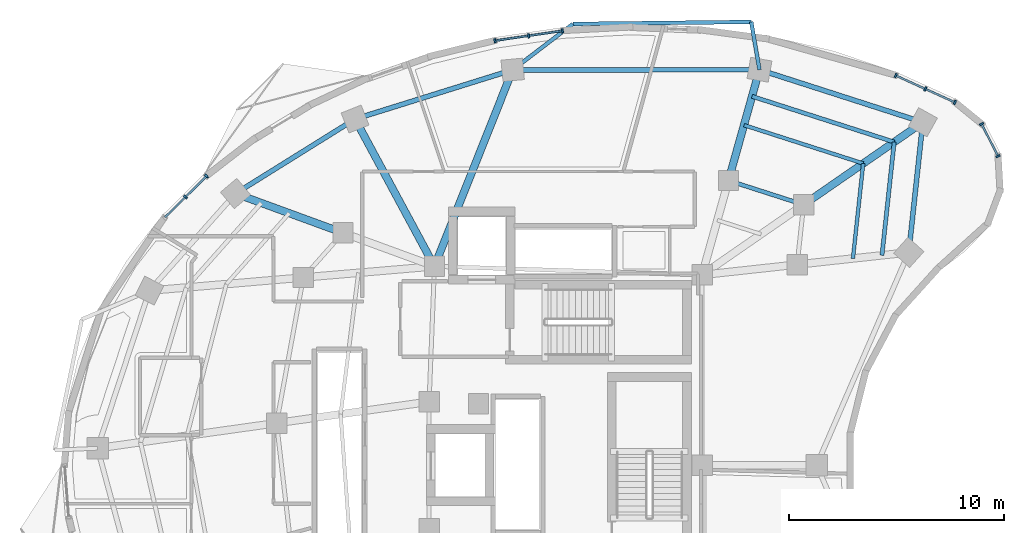
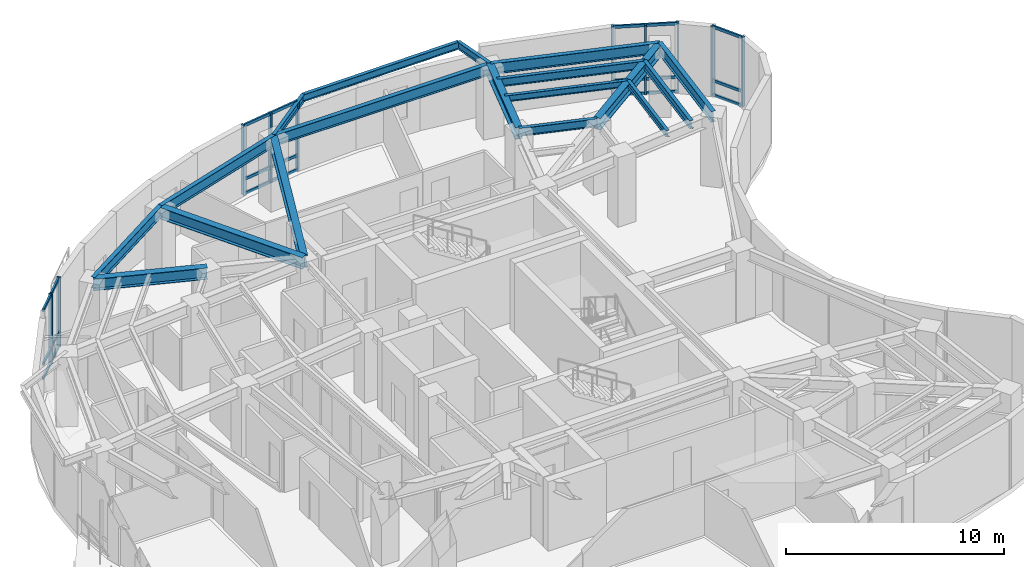
# One storey, part 5 of 13: 31 members, 18 beams, 4 elements without a shape of their own.
"""IFC4 building model written with IfcOpenShell, lengths in metres."""

from ifc_helpers import new_model, si_unit, direction, frame, origin, origin_2d, place, context, subcontext, project, spatial, rectangle, i_section, extrude, material, layer, layer_set, material_profile, profile_set, type_object, element, aggregate, save


model = new_model("IFC4")

# Units and contexts
model_context = context("Model", 3, precision=1e-05, world=origin(), true_north=direction((0.0, 1.0)))
body_context = subcontext(model_context, "Body", "Model", "MODEL_VIEW")
ifc_project = project(units=[si_unit("LENGTHUNIT", "METRE"), si_unit("AREAUNIT", "SQUARE_METRE"), si_unit("VOLUMEUNIT", "CUBIC_METRE"), si_unit("PLANEANGLEUNIT", "RADIAN"), si_unit("MASSUNIT", "GRAM", prefix="KILO")], contexts=[model_context])

# Site, building, storey
site_placement = place(None, origin())
site = spatial("IfcSite", under=ifc_project, at=site_placement, CompositionType="ELEMENT")
building_placement = place(site_placement, origin())
building = spatial("IfcBuilding", under=site, at=building_placement, Name="Korentha Bioscience Tower", CompositionType="ELEMENT")
storey_placement = place(building_placement, frame((0.0, 0.0, 158.39990234375)))
storey = spatial("IfcBuildingStorey", under=building, at=storey_placement, Name="L36", CompositionType="ELEMENT", Elevation=158.39990234375)

# Beam
ifc_material_1 = material(Name="Steel S355", Category="steel")
ifc_material_profile_1 = material_profile(ifc_material_1, i_section(OverallWidth=0.18994140625, OverallDepth=0.45703125, WebThickness=0.009033203125, FlangeThickness=0.014404296875, at=origin_2d()), Name="Steel S355")
ifc_profile_set_1 = profile_set([ifc_material_profile_1], Name="Steel S355 (MB-460)")
beam_type_1 = type_object("IfcBeamType", Name="Mid-Ring Tie Girder W460x74", PredefinedType="BEAM", material=ifc_profile_set_1)
beam_1_placement = place(storey_placement, frame((42.274658203125, 39.1171875, 3.671630859375), z_axis=(-0.952000195343, 0.306097415976, 0.0), x_axis=(-0.306097415976, -0.952000195343, 0.0)))
element("IfcBeam", 1, at=beam_1_placement, inside=storey, type_object=beam_type_1, Name="L36 Mid-Ring Tie Girder 01", PredefinedType="BEAM", context=body_context, shape_type="SweptSolid", body=[
    extrude(i_section(OverallWidth=0.18994140625, OverallDepth=0.45703125, WebThickness=0.009033203125, FlangeThickness=0.014404296875, at=origin_2d()), origin(), (0.0, 0.0, 1.0), 3.672119140625),
])

# Curtain wall, members
ifc_material_2 = material(Name="Thermally Broken Aluminium Frame", Category="aluminium")
ifc_layer = layer(ifc_material_2, 0.219970703125, Name="Thermally Broken Aluminium Frame")
ifc_layer_set = layer_set([ifc_layer], Name="Thermally Broken Aluminium Frame (CW-T1)")
curtain_wall_type = type_object("IfcCurtainWallType", Name="Standard Bioscience Lab Unitised Curtain Wall CW-T1", PredefinedType="USERDEFINED", material=ifc_layer_set)
curtain_wall_1_placement = place(storey_placement, origin())
curtain_wall_1 = element("IfcCurtainWall", 2, at=curtain_wall_1_placement, inside=storey, type_object=curtain_wall_type, Name="L36 Curtain Wall 01", ObjectType="UNITISED", PredefinedType="USERDEFINED")
ifc_material_3 = material(Name="Anodised Aluminium 6063-T6", Category="aluminium")
ifc_material_profile_2 = material_profile(ifc_material_3, rectangle(XDim=0.090087890625, YDim=0.199951171875, at=origin_2d()), Name="Anodised Aluminium 6063-T6")
ifc_profile_set_2 = profile_set([ifc_material_profile_2], Name="Anodised Aluminium 6063-T6 (CW-MUL)")
member_type_1 = type_object("IfcMemberType", Name="Mullion RECT 90x200", PredefinedType="MULLION", material=ifc_profile_set_2)
member_1_placement = place(storey_placement, frame((49.314453125, 43.878173828125, 0.0), z_axis=(0.0, 0.0, 1.0), x_axis=(-0.910644398392, 0.413190972406, 0.0)))
member_1 = element("IfcMember", 3, at=member_1_placement, type_object=member_type_1, Name="CW-L36-01 Mullion 1", PredefinedType="MULLION", context=body_context, shape_type="SweptSolid", body=[
    extrude(rectangle(XDim=0.090087890625, YDim=0.199951171875, at=origin_2d()), origin(), (0.0, 0.0, 1.0), 3.900146484375),
])
member_2_placement = place(storey_placement, frame((47.93701171875, 44.503173828125, 0.0), z_axis=(0.0, 0.0, 1.0), x_axis=(-0.910644398392, 0.413190972406, 0.0)))
member_2 = element("IfcMember", 4, at=member_2_placement, type_object=member_type_1, Name="CW-L36-01 Mullion 2", PredefinedType="MULLION", context=body_context, shape_type="SweptSolid", body=[
    extrude(rectangle(XDim=0.090087890625, YDim=0.199951171875, at=origin_2d()), origin(), (0.0, 0.0, 1.0), 3.900146484375),
])
member_3_placement = place(storey_placement, frame((46.5595703125, 45.128173828125, 0.0), z_axis=(0.0, 0.0, 1.0), x_axis=(-0.910644398392, 0.413190972406, 0.0)))
member_3 = element("IfcMember", 5, at=member_3_placement, type_object=member_type_1, Name="CW-L36-01 Mullion 3", PredefinedType="MULLION", context=body_context, shape_type="SweptSolid", body=[
    extrude(rectangle(XDim=0.090087890625, YDim=0.199951171875, at=origin_2d()), origin(), (0.0, 0.0, 1.0), 3.900146484375),
])

curtain_wall_2_placement = place(storey_placement, origin())
curtain_wall_2 = element("IfcCurtainWall", 6, at=curtain_wall_2_placement, inside=storey, type_object=curtain_wall_type, Name="L36 Curtain Wall 07", ObjectType="UNITISED", PredefinedType="USERDEFINED")
member_4_placement = place(storey_placement, frame((31.056640625, 47.205078125, 0.0), z_axis=(0.0, 0.0, 1.0), x_axis=(-0.989461919888, -0.144793332342, 0.0)))
member_4 = element("IfcMember", 7, at=member_4_placement, type_object=member_type_1, Name="CW-L36-07 Mullion 1", PredefinedType="MULLION", context=body_context, shape_type="SweptSolid", body=[
    extrude(rectangle(XDim=0.090087890625, YDim=0.199951171875, at=origin_2d()), origin(), (0.0, 0.0, 1.0), 3.900146484375),
])
member_5_placement = place(storey_placement, frame((29.485107421875, 46.97509765625, 0.0), z_axis=(0.0, 0.0, 1.0), x_axis=(-0.989461919888, -0.144793332342, 0.0)))
member_5 = element("IfcMember", 8, at=member_5_placement, type_object=member_type_1, Name="CW-L36-07 Mullion 2", PredefinedType="MULLION", context=body_context, shape_type="SweptSolid", body=[
    extrude(rectangle(XDim=0.090087890625, YDim=0.199951171875, at=origin_2d()), origin(), (0.0, 0.0, 1.0), 3.900146484375),
])
member_6_placement = place(storey_placement, frame((27.913330078125, 46.7451171875, 0.0), z_axis=(0.0, 0.0, 1.0), x_axis=(-0.989461919888, -0.144793332342, 0.0)))
member_6 = element("IfcMember", 9, at=member_6_placement, type_object=member_type_1, Name="CW-L36-07 Mullion 3", PredefinedType="MULLION", context=body_context, shape_type="SweptSolid", body=[
    extrude(rectangle(XDim=0.090087890625, YDim=0.199951171875, at=origin_2d()), origin(), (0.0, 0.0, 1.0), 3.900146484375),
])

curtain_wall_3_placement = place(storey_placement, origin())
curtain_wall_3 = element("IfcCurtainWall", 10, at=curtain_wall_3_placement, inside=storey, type_object=curtain_wall_type, Name="L36 Curtain Wall 13", ObjectType="UNITISED", PredefinedType="USERDEFINED")
member_7_placement = place(storey_placement, frame((14.49951171875, 40.44287109375, 0.0), z_axis=(0.0, 0.0, 1.0), x_axis=(-0.711460557971, -0.702726030862, 0.0)))
member_7 = element("IfcMember", 11, at=member_7_placement, type_object=member_type_1, Name="CW-L36-13 Mullion 1", PredefinedType="MULLION", context=body_context, shape_type="SweptSolid", body=[
    extrude(rectangle(XDim=0.090087890625, YDim=0.199951171875, at=origin_2d()), origin(), (0.0, 0.0, 1.0), 3.900146484375),
])
member_8_placement = place(storey_placement, frame((13.517333984375, 39.472900390625, 0.0), z_axis=(0.0, 0.0, 1.0), x_axis=(-0.711460557971, -0.702726030862, 0.0)))
member_8 = element("IfcMember", 12, at=member_8_placement, type_object=member_type_1, Name="CW-L36-13 Mullion 2", PredefinedType="MULLION", context=body_context, shape_type="SweptSolid", body=[
    extrude(rectangle(XDim=0.090087890625, YDim=0.199951171875, at=origin_2d()), origin(), (0.0, 0.0, 1.0), 3.900146484375),
])

curtain_wall_4_placement = place(storey_placement, origin())
curtain_wall_4 = element("IfcCurtainWall", 13, at=curtain_wall_4_placement, inside=storey, type_object=curtain_wall_type, Name="L36 Curtain Wall 61", ObjectType="UNITISED", PredefinedType="USERDEFINED")
member_9_placement = place(storey_placement, frame((51.31884765625, 41.375732421875, 0.0), z_axis=(0.0, 0.0, 1.0), x_axis=(-0.45428845847, 0.890854643868, 0.0)))
member_9 = element("IfcMember", 14, at=member_9_placement, type_object=member_type_1, Name="CW-L36-61 Mullion 1", PredefinedType="MULLION", context=body_context, shape_type="SweptSolid", body=[
    extrude(rectangle(XDim=0.090087890625, YDim=0.199951171875, at=origin_2d()), origin(), (0.0, 0.0, 1.0), 3.900146484375),
])
member_10_placement = place(storey_placement, frame((50.5546875, 42.873779296875, 0.0), z_axis=(0.0, 0.0, 1.0), x_axis=(-0.45428845847, 0.890854643868, 0.0)))
member_10 = element("IfcMember", 15, at=member_10_placement, type_object=member_type_1, Name="CW-L36-61 Mullion 2", PredefinedType="MULLION", context=body_context, shape_type="SweptSolid", body=[
    extrude(rectangle(XDim=0.090087890625, YDim=0.199951171875, at=origin_2d()), origin(), (0.0, 0.0, 1.0), 3.900146484375),
])

# Beams
ifc_material_profile_3 = material_profile(ifc_material_1, i_section(OverallWidth=0.22802734375, OverallDepth=0.60791015625, WebThickness=0.01123046875, FlangeThickness=0.017333984375, at=origin_2d()), Name="Steel S355")
ifc_profile_set_3 = profile_set([ifc_material_profile_3], Name="Steel S355 (SB-610)")
beam_type_2 = type_object("IfcBeamType", Name="Perimeter Ring Spandrel Girder W610x113", PredefinedType="SPANDREL", material=ifc_profile_set_3)
beam_2_placement = place(storey_placement, frame((47.821044921875, 42.95263671875, 3.59619140625), z_axis=(-0.952008512555, 0.306071547228, 0.0), x_axis=(-0.306071547228, -0.952008512555, 0.0)))
element("IfcBeam", 16, at=beam_2_placement, inside=storey, type_object=beam_type_2, Name="L36 Perimeter Spandrel Girder 01", PredefinedType="SPANDREL", context=body_context, shape_type="SweptSolid", body=[
    extrude(i_section(OverallWidth=0.22802734375, OverallDepth=0.60791015625, WebThickness=0.01123046875, FlangeThickness=0.017333984375, at=origin_2d()), origin(), (0.0, 0.0, 1.0), 7.98291015625),
])
beam_3_placement = place(storey_placement, frame((40.22119140625, 45.39599609375, 3.59619140625), z_axis=(-0.99999988041, -0.000489059883, 0.0), x_axis=(0.000489059883, -0.99999988041, 0.0)))
element("IfcBeam", 17, at=beam_3_placement, inside=storey, type_object=beam_type_2, Name="L36 Perimeter Spandrel Girder 02", PredefinedType="SPANDREL", context=body_context, shape_type="SweptSolid", body=[
    extrude(i_section(OverallWidth=0.22802734375, OverallDepth=0.60791015625, WebThickness=0.01123046875, FlangeThickness=0.017333984375, at=origin_2d()), origin(), (0.0, 0.0, 1.0), 11.481689453125),
])
beam_4_placement = place(storey_placement, frame((28.739501953125, 45.390380859375, 3.59619140625), z_axis=(-0.954638172607, -0.29776829818, 0.0), x_axis=(0.29776829818, -0.954638172607, 0.0)))
element("IfcBeam", 18, at=beam_4_placement, inside=storey, type_object=beam_type_2, Name="L36 Perimeter Spandrel Girder 03", PredefinedType="SPANDREL", context=body_context, shape_type="SweptSolid", body=[
    extrude(i_section(OverallWidth=0.22802734375, OverallDepth=0.60791015625, WebThickness=0.01123046875, FlangeThickness=0.017333984375, at=origin_2d()), origin(), (0.0, 0.0, 1.0), 7.682373046875),
])
beam_5_placement = place(storey_placement, frame((21.405517578125, 43.102783203125, 3.59619140625), z_axis=(-0.848675740059, -0.528913497876, 0.0), x_axis=(0.528913497876, -0.848675740059, 0.0)))
element("IfcBeam", 19, at=beam_5_placement, inside=storey, type_object=beam_type_2, Name="L36 Perimeter Spandrel Girder 04", PredefinedType="SPANDREL", context=body_context, shape_type="SweptSolid", body=[
    extrude(i_section(OverallWidth=0.22802734375, OverallDepth=0.60791015625, WebThickness=0.01123046875, FlangeThickness=0.017333984375, at=origin_2d()), origin(), (0.0, 0.0, 1.0), 6.55322265625),
])
beam_6_placement = place(storey_placement, frame((47.16748046875, 36.89794921875, 3.59619140625), z_axis=(0.10732012232, 0.994224517574, 0.0), x_axis=(-0.994224517574, 0.10732012232, 0.0)))
element("IfcBeam", 20, at=beam_6_placement, inside=storey, type_object=beam_type_2, Name="L36 Perimeter Spandrel Girder 16", PredefinedType="SPANDREL", context=body_context, shape_type="SweptSolid", body=[
    extrude(i_section(OverallWidth=0.22802734375, OverallDepth=0.60791015625, WebThickness=0.01123046875, FlangeThickness=0.017333984375, at=origin_2d()), origin(), (0.0, 0.0, 1.0), 6.08984375),
])
ifc_material_profile_4 = material_profile(ifc_material_1, i_section(OverallWidth=0.18994140625, OverallDepth=0.45703125, WebThickness=0.009033203125, FlangeThickness=0.014404296875, at=origin_2d()), Name="Steel S355")
ifc_profile_set_4 = profile_set([ifc_material_profile_4], Name="Steel S355 (RB-460)")
beam_type_3 = type_object("IfcBeamType", Name="Radial Laboratory Beam W460x74", PredefinedType="BEAM", material=ifc_profile_set_4)
beam_7_placement = place(storey_placement, frame((46.489990234375, 42.031982421875, 3.671630859375), z_axis=(-0.952009183817, 0.306069459318, 0.0), x_axis=(-0.306069459318, -0.952009183817, 0.0)))
element("IfcBeam", 21, at=beam_7_placement, inside=storey, type_object=beam_type_3, Name="L36 Secondary Floor Beam JSTO-01", PredefinedType="BEAM", context=body_context, shape_type="SweptSolid", body=[
    extrude(i_section(OverallWidth=0.18994140625, OverallDepth=0.45703125, WebThickness=0.009033203125, FlangeThickness=0.014404296875, at=origin_2d()), origin(), (0.0, 0.0, 1.0), 6.948486328125),
])
beam_8_placement = place(storey_placement, frame((45.921142578125, 36.76220703125, 3.671630859375), z_axis=(0.107321875607, 0.994224328316, 0.0), x_axis=(-0.994224328316, 0.107321875607, 0.0)))
element("IfcBeam", 22, at=beam_8_placement, inside=storey, type_object=beam_type_3, Name="L36 Secondary Floor Beam JSTO-16", PredefinedType="BEAM", context=body_context, shape_type="SweptSolid", body=[
    extrude(i_section(OverallWidth=0.18994140625, OverallDepth=0.45703125, WebThickness=0.009033203125, FlangeThickness=0.014404296875, at=origin_2d()), origin(), (0.0, 0.0, 1.0), 5.30029296875),
])
ifc_material_profile_5 = material_profile(ifc_material_1, i_section(OverallWidth=0.35009765625, OverallDepth=0.64990234375, WebThickness=0.01611328125, FlangeThickness=0.02490234375, at=origin_2d()), Name="Steel S355")
ifc_profile_set_5 = profile_set([ifc_material_profile_5], Name="Steel S355 (RB-650)")
beam_type_4 = type_object("IfcBeamType", Name="Radial Laboratory Girder CVS 650x208", PredefinedType="BEAM", material=ifc_profile_set_5)
beam_9_placement = place(storey_placement, frame((42.274658203125, 39.1171875, 3.5751953125), z_axis=(0.822494455845, 0.568773127094, 0.0), x_axis=(-0.568773127094, 0.822494455845, 0.0)))
element("IfcBeam", 23, at=beam_9_placement, inside=storey, type_object=beam_type_4, Name="L36 Outer Radial Girder 01", PredefinedType="BEAM", context=body_context, shape_type="SweptSolid", body=[
    extrude(i_section(OverallWidth=0.35009765625, OverallDepth=0.64990234375, WebThickness=0.01611328125, FlangeThickness=0.02490234375, at=origin_2d()), origin(), (0.0, 0.0, 1.0), 6.743408203125),
])
beam_10_placement = place(storey_placement, frame((38.77880859375, 40.2412109375, 3.5751953125), z_axis=(0.269464128344, 0.963010427532, 0.0), x_axis=(-0.963010427532, 0.269464128344, 0.0)))
element("IfcBeam", 24, at=beam_10_placement, inside=storey, type_object=beam_type_4, Name="L36 Outer Radial Girder 02", PredefinedType="BEAM", context=body_context, shape_type="SweptSolid", body=[
    extrude(i_section(OverallWidth=0.35009765625, OverallDepth=0.64990234375, WebThickness=0.01611328125, FlangeThickness=0.02490234375, at=origin_2d()), origin(), (0.0, 0.0, 1.0), 5.352783203125),
])
beam_11_placement = place(storey_placement, frame((25.10009765625, 36.25, 3.5751953125), z_axis=(0.369922682955, 0.929062542909, 0.0), x_axis=(-0.929062542909, 0.369922682955, 0.0)))
element("IfcBeam", 25, at=beam_11_placement, inside=storey, type_object=beam_type_4, Name="L36 Radial Girder 03", PredefinedType="BEAM", context=body_context, shape_type="SweptSolid", body=[
    extrude(i_section(OverallWidth=0.35009765625, OverallDepth=0.64990234375, WebThickness=0.01611328125, FlangeThickness=0.02490234375, at=origin_2d()), origin(), (0.0, 0.0, 1.0), 9.83837890625),
])
beam_12_placement = place(storey_placement, frame((25.10009765625, 36.25, 3.5751953125), z_axis=(-0.474559790141, 0.880223270302, 0.0), x_axis=(-0.880223270302, -0.474559790141, 0.0)))
element("IfcBeam", 26, at=beam_12_placement, inside=storey, type_object=beam_type_4, Name="L36 Radial Girder 04", PredefinedType="BEAM", context=body_context, shape_type="SweptSolid", body=[
    extrude(i_section(OverallWidth=0.35009765625, OverallDepth=0.64990234375, WebThickness=0.01611328125, FlangeThickness=0.02490234375, at=origin_2d()), origin(), (0.0, 0.0, 1.0), 7.785400390625),
])
beam_13_placement = place(storey_placement, frame((20.84228515625, 37.807861328125, 3.5751953125), z_axis=(-0.939109855566, 0.343617053097, 0.0), x_axis=(-0.343617053097, -0.939109855566, 0.0)))
element("IfcBeam", 27, at=beam_13_placement, inside=storey, type_object=beam_type_4, Name="L36 Outer Radial Girder 05", PredefinedType="BEAM", context=body_context, shape_type="SweptSolid", body=[
    extrude(i_section(OverallWidth=0.35009765625, OverallDepth=0.64990234375, WebThickness=0.01611328125, FlangeThickness=0.02490234375, at=origin_2d()), origin(), (0.0, 0.0, 1.0), 5.322265625),
])
ifc_material_profile_6 = material_profile(ifc_material_1, i_section(OverallWidth=0.1708984375, OverallDepth=0.35498046875, WebThickness=0.007080078125, FlangeThickness=0.01171875, at=origin_2d()), Name="Steel S355")
ifc_profile_set_6 = profile_set([ifc_material_profile_6], Name="Steel S355 (JB-360)")
beam_type_5 = type_object("IfcBeamType", Name="Secondary Laboratory Joist W360x51", PredefinedType="JOIST", material=ifc_profile_set_6)
beam_14_placement = place(storey_placement, frame((45.0478515625, 41.034912109375, 3.72265625), z_axis=(-0.952005892166, 0.306079697596, 0.0), x_axis=(-0.306079697596, -0.952005892166, 0.0)))
element("IfcBeam", 28, at=beam_14_placement, inside=storey, type_object=beam_type_5, Name="L36 Secondary Floor Beam JST-01", PredefinedType="JOIST", context=body_context, shape_type="SweptSolid", body=[
    extrude(i_section(OverallWidth=0.1708984375, OverallDepth=0.35498046875, WebThickness=0.007080078125, FlangeThickness=0.01171875, at=origin_2d()), origin(), (0.0, 0.0, 1.0), 5.82763671875),
])
beam_15_placement = place(storey_placement, frame((44.57080078125, 36.614990234375, 3.72265625), z_axis=(0.107308722475, 0.994225748048, 0.0), x_axis=(-0.994225748048, 0.107308722475, 0.0)))
element("IfcBeam", 29, at=beam_15_placement, inside=storey, type_object=beam_type_5, Name="L36 Secondary Floor Beam JST-16", PredefinedType="JOIST", context=body_context, shape_type="SweptSolid", body=[
    extrude(i_section(OverallWidth=0.1708984375, OverallDepth=0.35498046875, WebThickness=0.007080078125, FlangeThickness=0.01171875, at=origin_2d()), origin(), (0.0, 0.0, 1.0), 4.445556640625),
])
ifc_material_profile_7 = material_profile(ifc_material_1, i_section(OverallWidth=0.177978515625, OverallDepth=0.406982421875, WebThickness=0.0078125, FlangeThickness=0.0126953125, at=origin_2d()), Name="Steel S355")
ifc_profile_set_7 = profile_set([ifc_material_profile_7], Name="Steel S355 (CB-410)")
beam_type_6 = type_object("IfcBeamType", Name="Sun-Ledge Cantilever Beam W410x60", PredefinedType="BEAM", material=ifc_profile_set_7)
beam_16_placement = place(storey_placement, frame((40.22119140625, 45.39599609375, 3.698486328125), z_axis=(-0.169095852477, 0.985599610732, 0.0), x_axis=(-0.985599610732, -0.169095852477, 0.0)))
element("IfcBeam", 30, at=beam_16_placement, inside=storey, type_object=beam_type_6, Name="L36 Balcony Cantilever Bracket A-L37-01", PredefinedType="BEAM", context=body_context, shape_type="SweptSolid", body=[
    extrude(i_section(OverallWidth=0.177978515625, OverallDepth=0.406982421875, WebThickness=0.0078125, FlangeThickness=0.0126953125, at=origin_2d()), origin(), (0.0, 0.0, 1.0), 2.258056640625),
])
beam_17_placement = place(storey_placement, frame((28.739501953125, 45.390380859375, 3.698486328125), z_axis=(0.794810389594, 0.606857845458, 0.0), x_axis=(-0.606857845458, 0.794810389594, 0.0)))
element("IfcBeam", 31, at=beam_17_placement, inside=storey, type_object=beam_type_6, Name="L36 Balcony Cantilever Bracket B-L37-01", PredefinedType="BEAM", context=body_context, shape_type="SweptSolid", body=[
    extrude(i_section(OverallWidth=0.177978515625, OverallDepth=0.406982421875, WebThickness=0.0078125, FlangeThickness=0.0126953125, at=origin_2d()), origin(), (0.0, 0.0, 1.0), 3.520263671875),
])
beam_18_placement = place(storey_placement, frame((39.83935546875, 47.62158203125, 3.698486328125), z_axis=(-0.999934575407, -0.011438745768, 0.0), x_axis=(0.011438745768, -0.999934575407, 0.0)))
element("IfcBeam", 32, at=beam_18_placement, inside=storey, type_object=beam_type_6, Name="L36 Balcony Edge Trimmer Beam L37-01", PredefinedType="BEAM", context=body_context, shape_type="SweptSolid", body=[
    extrude(i_section(OverallWidth=0.177978515625, OverallDepth=0.406982421875, WebThickness=0.0078125, FlangeThickness=0.0126953125, at=origin_2d()), origin(), (0.0, 0.0, 1.0), 8.302490234375),
])

# Member
ifc_material_profile_8 = material_profile(ifc_material_3, rectangle(XDim=0.090087890625, YDim=0.159912109375, at=origin_2d()), Name="Anodised Aluminium 6063-T6")
ifc_profile_set_8 = profile_set([ifc_material_profile_8], Name="Anodised Aluminium 6063-T6 (CW-TRN)")
member_type_2 = type_object("IfcMemberType", Name="Transom RECT 90x160", PredefinedType="USERDEFINED", material=ifc_profile_set_8)
member_11_placement = place(storey_placement, frame((49.2734375, 43.896728515625, 0.045166015625), z_axis=(-0.910613165474, 0.41325980069, 0.0), x_axis=(-0.41325980069, -0.910613165474, 0.0)))
member_11 = element("IfcMember", 33, at=member_11_placement, type_object=member_type_2, Name="CW-L36-01 Bay 1 Transom 1", ObjectType="TRANSOM", PredefinedType="USERDEFINED", context=body_context, shape_type="SweptSolid", body=[
    extrude(rectangle(XDim=0.090087890625, YDim=0.159912109375, at=origin_2d()), origin(), (0.0, 0.0, 1.0), 1.422607421875),
])

member_12_placement = place(storey_placement, frame((49.2734375, 43.896728515625, 0.85009765625), z_axis=(-0.910613165474, 0.41325980069, 0.0), x_axis=(-0.41325980069, -0.910613165474, 0.0)))
member_12 = element("IfcMember", 34, at=member_12_placement, type_object=member_type_2, Name="CW-L36-01 Bay 1 Transom 2", ObjectType="TRANSOM", PredefinedType="USERDEFINED", context=body_context, shape_type="SweptSolid", body=[
    extrude(rectangle(XDim=0.090087890625, YDim=0.159912109375, at=origin_2d()), origin(), (0.0, 0.0, 1.0), 1.422607421875),
])

member_13_placement = place(storey_placement, frame((49.2734375, 43.896728515625, 3.85498046875), z_axis=(-0.910613165474, 0.41325980069, 0.0), x_axis=(-0.41325980069, -0.910613165474, 0.0)))
member_13 = element("IfcMember", 35, at=member_13_placement, type_object=member_type_2, Name="CW-L36-01 Bay 1 Transom 3", ObjectType="TRANSOM", PredefinedType="USERDEFINED", context=body_context, shape_type="SweptSolid", body=[
    extrude(rectangle(XDim=0.090087890625, YDim=0.159912109375, at=origin_2d()), origin(), (0.0, 0.0, 1.0), 1.422607421875),
])

member_14_placement = place(storey_placement, frame((47.89599609375, 44.521728515625, 0.045166015625), z_axis=(-0.910613165474, 0.41325980069, 0.0), x_axis=(-0.41325980069, -0.910613165474, 0.0)))
member_14 = element("IfcMember", 36, at=member_14_placement, type_object=member_type_2, Name="CW-L36-01 Bay 2 Transom 1", ObjectType="TRANSOM", PredefinedType="USERDEFINED", context=body_context, shape_type="SweptSolid", body=[
    extrude(rectangle(XDim=0.090087890625, YDim=0.159912109375, at=origin_2d()), origin(), (0.0, 0.0, 1.0), 1.422607421875),
])

member_15_placement = place(storey_placement, frame((47.89599609375, 44.521728515625, 0.85009765625), z_axis=(-0.910613165474, 0.41325980069, 0.0), x_axis=(-0.41325980069, -0.910613165474, 0.0)))
member_15 = element("IfcMember", 37, at=member_15_placement, type_object=member_type_2, Name="CW-L36-01 Bay 2 Transom 2", ObjectType="TRANSOM", PredefinedType="USERDEFINED", context=body_context, shape_type="SweptSolid", body=[
    extrude(rectangle(XDim=0.090087890625, YDim=0.159912109375, at=origin_2d()), origin(), (0.0, 0.0, 1.0), 1.422607421875),
])

member_16_placement = place(storey_placement, frame((47.89599609375, 44.521728515625, 3.85498046875), z_axis=(-0.910613165474, 0.41325980069, 0.0), x_axis=(-0.41325980069, -0.910613165474, 0.0)))
member_16 = element("IfcMember", 38, at=member_16_placement, type_object=member_type_2, Name="CW-L36-01 Bay 2 Transom 3", ObjectType="TRANSOM", PredefinedType="USERDEFINED", context=body_context, shape_type="SweptSolid", body=[
    extrude(rectangle(XDim=0.090087890625, YDim=0.159912109375, at=origin_2d()), origin(), (0.0, 0.0, 1.0), 1.422607421875),
])

aggregate(curtain_wall_1, [member_1, member_2, member_3, member_11, member_12, member_13, member_14, member_15, member_16])

member_17_placement = place(storey_placement, frame((31.01220703125, 47.198486328125, 0.045166015625), z_axis=(-0.989478137929, -0.144682461136, 0.0), x_axis=(0.144682461136, -0.989478137929, 0.0)))
member_17 = element("IfcMember", 39, at=member_17_placement, type_object=member_type_2, Name="CW-L36-07 Bay 1 Transom 1", ObjectType="TRANSOM", PredefinedType="USERDEFINED", context=body_context, shape_type="SweptSolid", body=[
    extrude(rectangle(XDim=0.090087890625, YDim=0.159912109375, at=origin_2d()), origin(), (0.0, 0.0, 1.0), 1.49853515625),
])

member_18_placement = place(storey_placement, frame((31.01220703125, 47.198486328125, 0.85009765625), z_axis=(-0.989478137929, -0.144682461136, 0.0), x_axis=(0.144682461136, -0.989478137929, 0.0)))
member_18 = element("IfcMember", 40, at=member_18_placement, type_object=member_type_2, Name="CW-L36-07 Bay 1 Transom 2", ObjectType="TRANSOM", PredefinedType="USERDEFINED", context=body_context, shape_type="SweptSolid", body=[
    extrude(rectangle(XDim=0.090087890625, YDim=0.159912109375, at=origin_2d()), origin(), (0.0, 0.0, 1.0), 1.49853515625),
])

member_19_placement = place(storey_placement, frame((31.01220703125, 47.198486328125, 3.85498046875), z_axis=(-0.989478137929, -0.144682461136, 0.0), x_axis=(0.144682461136, -0.989478137929, 0.0)))
member_19 = element("IfcMember", 41, at=member_19_placement, type_object=member_type_2, Name="CW-L36-07 Bay 1 Transom 3", ObjectType="TRANSOM", PredefinedType="USERDEFINED", context=body_context, shape_type="SweptSolid", body=[
    extrude(rectangle(XDim=0.090087890625, YDim=0.159912109375, at=origin_2d()), origin(), (0.0, 0.0, 1.0), 1.49853515625),
])

member_20_placement = place(storey_placement, frame((29.4404296875, 46.968505859375, 0.045166015625), z_axis=(-0.989474726473, -0.144705790038, 0.0), x_axis=(0.144705790038, -0.989474726473, 0.0)))
member_20 = element("IfcMember", 42, at=member_20_placement, type_object=member_type_2, Name="CW-L36-07 Bay 2 Transom 1", ObjectType="TRANSOM", PredefinedType="USERDEFINED", context=body_context, shape_type="SweptSolid", body=[
    extrude(rectangle(XDim=0.090087890625, YDim=0.159912109375, at=origin_2d()), origin(), (0.0, 0.0, 1.0), 1.498291015625),
])

member_21_placement = place(storey_placement, frame((29.4404296875, 46.968505859375, 0.85009765625), z_axis=(-0.989474726473, -0.144705790038, 0.0), x_axis=(0.144705790038, -0.989474726473, 0.0)))
member_21 = element("IfcMember", 43, at=member_21_placement, type_object=member_type_2, Name="CW-L36-07 Bay 2 Transom 2", ObjectType="TRANSOM", PredefinedType="USERDEFINED", context=body_context, shape_type="SweptSolid", body=[
    extrude(rectangle(XDim=0.090087890625, YDim=0.159912109375, at=origin_2d()), origin(), (0.0, 0.0, 1.0), 1.498291015625),
])

member_22_placement = place(storey_placement, frame((29.4404296875, 46.968505859375, 3.85498046875), z_axis=(-0.989474726473, -0.144705790038, 0.0), x_axis=(0.144705790038, -0.989474726473, 0.0)))
member_22 = element("IfcMember", 44, at=member_22_placement, type_object=member_type_2, Name="CW-L36-07 Bay 2 Transom 3", ObjectType="TRANSOM", PredefinedType="USERDEFINED", context=body_context, shape_type="SweptSolid", body=[
    extrude(rectangle(XDim=0.090087890625, YDim=0.159912109375, at=origin_2d()), origin(), (0.0, 0.0, 1.0), 1.498291015625),
])

aggregate(curtain_wall_2, [member_4, member_5, member_6, member_17, member_18, member_19, member_20, member_21, member_22])

member_23_placement = place(storey_placement, frame((14.46728515625, 40.4111328125, 0.045166015625), z_axis=(-0.711445315109, -0.70274146285, 0.0), x_axis=(0.70274146285, -0.711445315109, 0.0)))
member_23 = element("IfcMember", 45, at=member_23_placement, type_object=member_type_2, Name="CW-L36-13 Bay 1 Transom 1", ObjectType="TRANSOM", PredefinedType="USERDEFINED", context=body_context, shape_type="SweptSolid", body=[
    extrude(rectangle(XDim=0.090087890625, YDim=0.159912109375, at=origin_2d()), origin(), (0.0, 0.0, 1.0), 1.290283203125),
])

member_24_placement = place(storey_placement, frame((14.46728515625, 40.4111328125, 0.85009765625), z_axis=(-0.711445315109, -0.70274146285, 0.0), x_axis=(0.70274146285, -0.711445315109, 0.0)))
member_24 = element("IfcMember", 46, at=member_24_placement, type_object=member_type_2, Name="CW-L36-13 Bay 1 Transom 2", ObjectType="TRANSOM", PredefinedType="USERDEFINED", context=body_context, shape_type="SweptSolid", body=[
    extrude(rectangle(XDim=0.090087890625, YDim=0.159912109375, at=origin_2d()), origin(), (0.0, 0.0, 1.0), 1.290283203125),
])

member_25_placement = place(storey_placement, frame((14.46728515625, 40.4111328125, 3.85498046875), z_axis=(-0.711445315109, -0.70274146285, 0.0), x_axis=(0.70274146285, -0.711445315109, 0.0)))
member_25 = element("IfcMember", 47, at=member_25_placement, type_object=member_type_2, Name="CW-L36-13 Bay 1 Transom 3", ObjectType="TRANSOM", PredefinedType="USERDEFINED", context=body_context, shape_type="SweptSolid", body=[
    extrude(rectangle(XDim=0.090087890625, YDim=0.159912109375, at=origin_2d()), origin(), (0.0, 0.0, 1.0), 1.290283203125),
])

member_26_placement = place(storey_placement, frame((13.4853515625, 39.441162109375, 0.045166015625), z_axis=(-0.711444158079, -0.70274263421, 0.0), x_axis=(0.70274263421, -0.711444158079, 0.0)))
member_26 = element("IfcMember", 48, at=member_26_placement, type_object=member_type_2, Name="CW-L36-13 Bay 2 Transom 1", ObjectType="TRANSOM", PredefinedType="USERDEFINED", context=body_context, shape_type="SweptSolid", body=[
    extrude(rectangle(XDim=0.090087890625, YDim=0.159912109375, at=origin_2d()), origin(), (0.0, 0.0, 1.0), 1.29052734375),
])

member_27_placement = place(storey_placement, frame((13.4853515625, 39.441162109375, 0.85009765625), z_axis=(-0.711444158079, -0.70274263421, 0.0), x_axis=(0.70274263421, -0.711444158079, 0.0)))
member_27 = element("IfcMember", 49, at=member_27_placement, type_object=member_type_2, Name="CW-L36-13 Bay 2 Transom 2", ObjectType="TRANSOM", PredefinedType="USERDEFINED", context=body_context, shape_type="SweptSolid", body=[
    extrude(rectangle(XDim=0.090087890625, YDim=0.159912109375, at=origin_2d()), origin(), (0.0, 0.0, 1.0), 1.29052734375),
])

member_28_placement = place(storey_placement, frame((13.4853515625, 39.441162109375, 3.85498046875), z_axis=(-0.711444158079, -0.70274263421, 0.0), x_axis=(0.70274263421, -0.711444158079, 0.0)))
member_28 = element("IfcMember", 50, at=member_28_placement, type_object=member_type_2, Name="CW-L36-13 Bay 2 Transom 3", ObjectType="TRANSOM", PredefinedType="USERDEFINED", context=body_context, shape_type="SweptSolid", body=[
    extrude(rectangle(XDim=0.090087890625, YDim=0.159912109375, at=origin_2d()), origin(), (0.0, 0.0, 1.0), 1.29052734375),
])

aggregate(curtain_wall_3, [member_7, member_8, member_23, member_24, member_25, member_26, member_27, member_28])

member_29_placement = place(storey_placement, frame((51.29833984375, 41.415771484375, 0.045166015625), z_axis=(-0.454316345026, 0.890840422658, 0.0), x_axis=(-0.890840422658, -0.454316345026, 0.0)))
member_29 = element("IfcMember", 51, at=member_29_placement, type_object=member_type_2, Name="CW-L36-61 Bay 1 Transom 1", ObjectType="TRANSOM", PredefinedType="USERDEFINED", context=body_context, shape_type="SweptSolid", body=[
    extrude(rectangle(XDim=0.090087890625, YDim=0.159912109375, at=origin_2d()), origin(), (0.0, 0.0, 1.0), 1.591796875),
])

member_30_placement = place(storey_placement, frame((51.29833984375, 41.415771484375, 0.85009765625), z_axis=(-0.454316345026, 0.890840422658, 0.0), x_axis=(-0.890840422658, -0.454316345026, 0.0)))
member_30 = element("IfcMember", 52, at=member_30_placement, type_object=member_type_2, Name="CW-L36-61 Bay 1 Transom 2", ObjectType="TRANSOM", PredefinedType="USERDEFINED", context=body_context, shape_type="SweptSolid", body=[
    extrude(rectangle(XDim=0.090087890625, YDim=0.159912109375, at=origin_2d()), origin(), (0.0, 0.0, 1.0), 1.591796875),
])

member_31_placement = place(storey_placement, frame((51.29833984375, 41.415771484375, 3.85498046875), z_axis=(-0.454316345026, 0.890840422658, 0.0), x_axis=(-0.890840422658, -0.454316345026, 0.0)))
member_31 = element("IfcMember", 53, at=member_31_placement, type_object=member_type_2, Name="CW-L36-61 Bay 1 Transom 3", ObjectType="TRANSOM", PredefinedType="USERDEFINED", context=body_context, shape_type="SweptSolid", body=[
    extrude(rectangle(XDim=0.090087890625, YDim=0.159912109375, at=origin_2d()), origin(), (0.0, 0.0, 1.0), 1.591796875),
])

aggregate(curtain_wall_4, [member_9, member_10, member_29, member_30, member_31])

save(model, "model.ifc")
